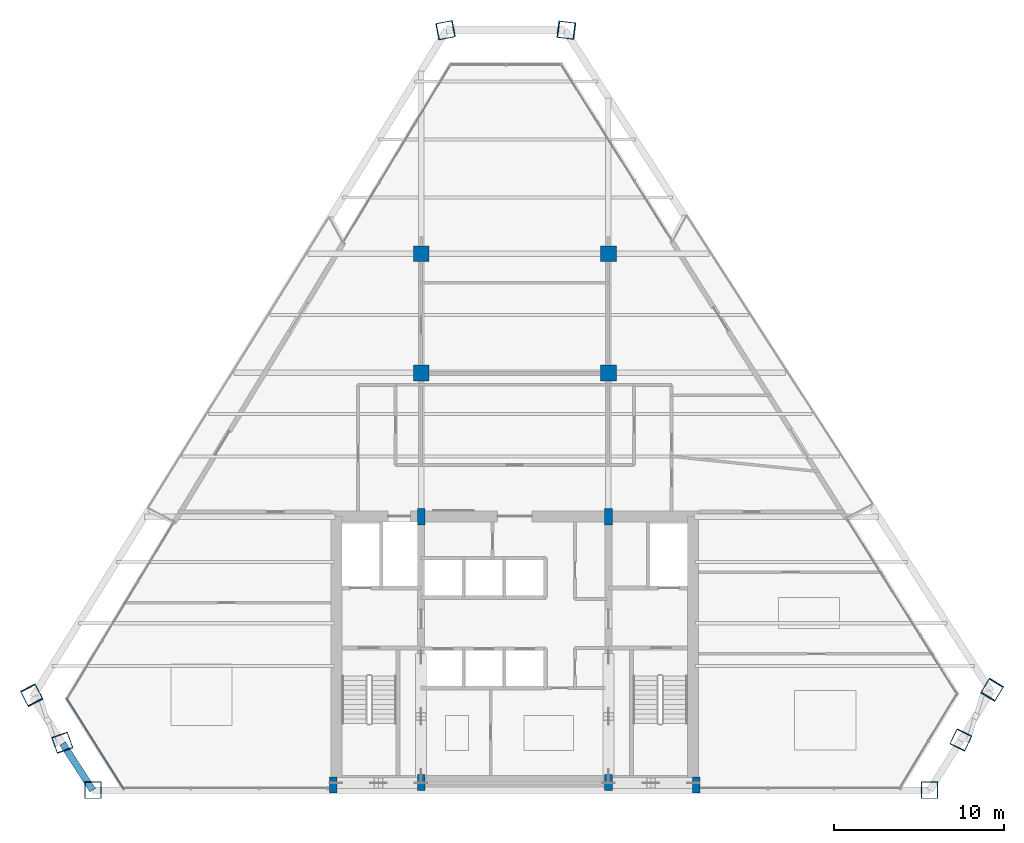
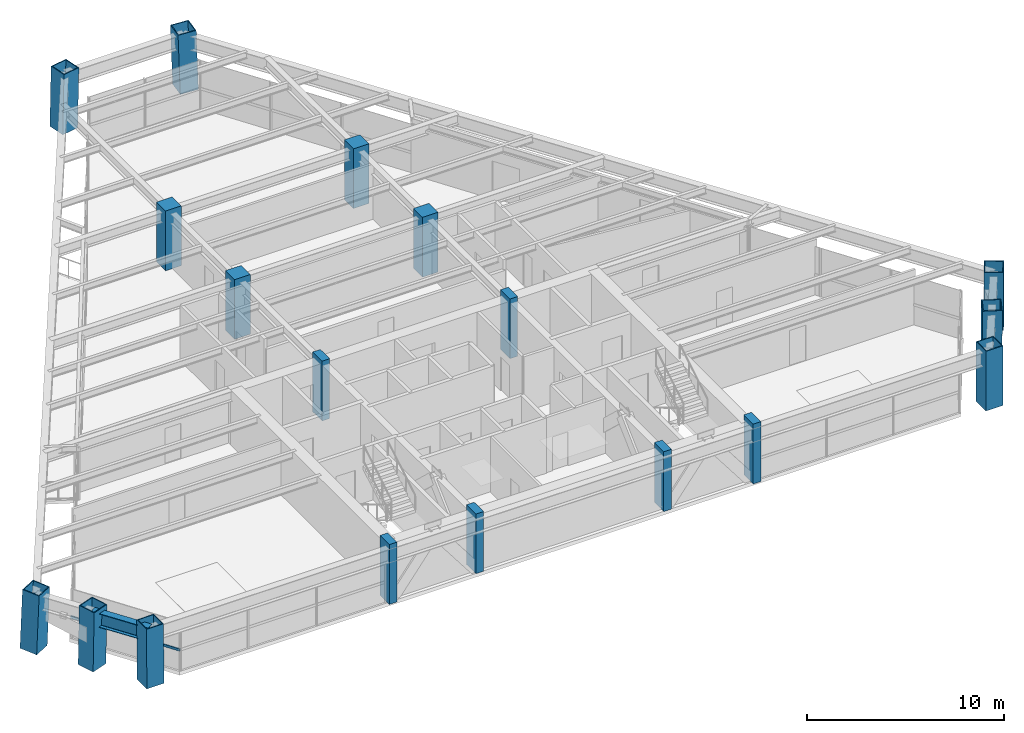
# One storey, part 1 of 12: 18 columns, 1 beam, 1 member, 1 element without a shape of its own.
"""IFC4 building model written with IfcOpenShell, lengths in metres."""

from ifc_helpers import new_model, si_unit, direction, frame, origin, origin_2d, place, context, subcontext, project, spatial, rectangle, hollow_rectangle, i_section, extrude, source, transform, mapped, material, material_profile, profile_set, type_object, element, aggregate, save


model = new_model("IFC4")

# Units and contexts
model_context = context("Model", 3, precision=1e-05, world=origin(), true_north=direction((0.0, 1.0)))
body_context = subcontext(model_context, "Body", "Model", "MODEL_VIEW")
ifc_project = project(units=[si_unit("LENGTHUNIT", "METRE"), si_unit("AREAUNIT", "SQUARE_METRE"), si_unit("VOLUMEUNIT", "CUBIC_METRE"), si_unit("PLANEANGLEUNIT", "RADIAN"), si_unit("MASSUNIT", "GRAM", prefix="KILO")], contexts=[model_context])

# Site, building, storey
site_placement = place(None, origin())
site = spatial("IfcSite", under=ifc_project, at=site_placement, CompositionType="ELEMENT")
building_placement = place(site_placement, origin())
building = spatial("IfcBuilding", under=site, at=building_placement, Name="Varnakhor Terracotta Tower", CompositionType="ELEMENT")
storey_placement = place(building_placement, frame((0.0, 0.0, 211.699951171875)))
storey = spatial("IfcBuildingStorey", under=building, at=storey_placement, Name="L54", CompositionType="ELEMENT", Elevation=211.699951171875)

# Columns
ifc_material_1 = material(Name="Concrete C50/60", Category="concrete")
ifc_material_profile_1 = material_profile(ifc_material_1, rectangle(XDim=0.449951171875, YDim=0.949951171875, at=origin_2d()), Name="RC PILASTER 950x450")
ifc_profile_set_1 = profile_set([ifc_material_profile_1], Name="Concrete C50/60")
column_type_1 = type_object("IfcColumnType", Name="COL-PIL-950x450", PredefinedType="PILASTER", material=ifc_profile_set_1)
shared_shape_1 = source(origin(), body_context, "Body", "SweptSolid", [
    extrude(rectangle(XDim=0.449951171875, YDim=0.949951171875, at=origin_2d()), origin(), (0.0, 0.0, 1.0), 3.699951171875),
])
for number, where, z_axis, x_axis, name in (
    (1, (-10.64990234375, 0.300048828125, 0.0), (0.0, 0.0, 1.0), (1.0, 0.0, 0.0), "L54 Core Pilaster CP1"),
    (2, (-5.5, 0.449951171875, 0.0), (0.0, 0.0, 1.0), (1.0, 0.0, 0.0), "L54 Core Pilaster CP2"),
    (3, (5.5, 0.449951171875, 0.0), (0.0, 0.0, 1.0), (1.0, 0.0, 0.0), "L54 Core Pilaster CP3"),
    (4, (10.64990234375, 0.300048828125, 0.0), (0.0, 0.0, 1.0), (1.0, 0.0, 0.0), "L54 Core Pilaster CP4"),
    (5, (-5.5, 16.050048828125, 0.0), (0.0, 0.0, 1.0), (1.0, 0.0, 0.0), "L54 Core Pilaster CP5"),
    (6, (5.5, 16.050048828125, 0.0), (0.0, 0.0, 1.0), (1.0, 0.0, 0.0), "L54 Core Pilaster CP6"),
):
    element("IfcColumn", number, at=place(storey_placement, frame(where, z_axis=z_axis, x_axis=x_axis)), inside=storey, type_object=column_type_1, Name=name, PredefinedType="PILASTER", context=body_context, shape_type="MappedRepresentation", body=[
        mapped(shared_shape_1, transform((0.0, 0.0, 0.0), scale=1.0)),
    ])
ifc_material_profile_2 = material_profile(ifc_material_1, rectangle(XDim=0.919921875, YDim=0.919921875, at=origin_2d()), Name="RC 920x920")
ifc_profile_set_2 = profile_set([ifc_material_profile_2], Name="Concrete C50/60")
column_type_2 = type_object("IfcColumnType", Name="COL-RC-920", PredefinedType="COLUMN", material=ifc_profile_set_2)
shared_shape_2 = source(origin(), body_context, "Body", "SweptSolid", [
    extrude(rectangle(XDim=0.919921875, YDim=0.919921875, at=origin_2d()), origin(), (0.0, 0.0, 1.0), 3.699951171875),
])
for number, where, z_axis, x_axis, name in (
    (7, (-5.5, 24.5, 0.0), (0.0, 0.0, 1.0), (1.0, 0.0, 0.0), "L54 Interior Tower Column IC1"),
    (8, (5.5, 24.5, 0.0), (0.0, 0.0, 1.0), (1.0, 0.0, 0.0), "L54 Interior Tower Column IC2"),
    (9, (-5.5, 31.5, 0.0), (0.0, 0.0, 1.0), (1.0, 0.0, 0.0), "L54 Interior Tower Column IC3"),
    (10, (5.5, 31.5, 0.0), (0.0, 0.0, 1.0), (1.0, 0.0, 0.0), "L54 Interior Tower Column IC4"),
):
    element("IfcColumn", number, at=place(storey_placement, frame(where, z_axis=z_axis, x_axis=x_axis)), inside=storey, type_object=column_type_2, Name=name, PredefinedType="COLUMN", context=body_context, shape_type="MappedRepresentation", body=[
        mapped(shared_shape_2, transform((0.0, 0.0, 0.0), scale=1.0)),
    ])
ifc_material_2 = material(Name="Steel S460", Category="steel")
ifc_material_profile_3 = material_profile(ifc_material_2, hollow_rectangle(XDim=1.0, YDim=1.0, WallThickness=0.050048828125, at=origin_2d()), Name="BOX 1000x1000x50")
ifc_profile_set_3 = profile_set([ifc_material_profile_3], Name="Steel S460")
column_type_3 = type_object("IfcColumnType", Name="COL-MEGA-1000", PredefinedType="COLUMN", material=ifc_profile_set_3)
shared_shape_3 = source(origin(), body_context, "Body", "SweptSolid", [
    extrude(hollow_rectangle(XDim=1.0, YDim=1.0, WallThickness=0.050048828125, at=origin_2d()), origin(), (0.0, 0.0, 1.0), 3.691162109375),
])
for number, where, z_axis, x_axis, name in (
    (11, (-24.762939453125, 0.0, 0.00439453125), (-0.006018807573, 0.0, 0.999981886814), (0.0, -1.0, 0.0), "L54 Perimeter Mega-Column M1"),
    (12, (24.357421875, 0.0, 0.00439453125), (0.004034625538, 0.0, 0.999991860865), (0.0, 1.0, 0.0), "L54 Perimeter Mega-Column M2"),
):
    element("IfcColumn", number, at=place(storey_placement, frame(where, z_axis=z_axis, x_axis=x_axis)), inside=storey, type_object=column_type_3, Name=name, PredefinedType="COLUMN", context=body_context, shape_type="MappedRepresentation", body=[
        mapped(shared_shape_3, transform((0.0, 0.0, 0.0), scale=1.0)),
    ])
shared_shape_4 = source(origin(), body_context, "Body", "SweptSolid", [
    extrude(hollow_rectangle(XDim=1.0, YDim=1.0, WallThickness=0.050048828125, at=origin_2d()), origin(), (0.0, 0.0, 1.0), 3.69189453125),
])
for number, where, z_axis, x_axis, name in (
    (13, (26.199462890625, 2.9580078125, 0.00439453125), (-0.008266275196, -0.016929331601, 0.999822517463), (0.898599702764, -0.438769386115, 0.0), "L54 Perimeter Mega-Column M3"),
    (14, (-4.0771484375, 44.622802734375, 0.00439453125), (0.021028315123, 0.004033733404, 0.9997707432), (-0.18838918747, 0.98209445271, 0.0), "L54 Perimeter Mega-Column M6"),
    (15, (-26.569580078125, 2.79833984375, 0.00439453125), (0.006282358654, -0.017855124594, 0.9998208472), (0.943312390837, 0.331906211591, 0.0), "L54 Perimeter Mega-Column M8"),
):
    element("IfcColumn", number, at=place(storey_placement, frame(where, z_axis=z_axis, x_axis=x_axis)), inside=storey, type_object=column_type_3, Name=name, PredefinedType="COLUMN", context=body_context, shape_type="MappedRepresentation", body=[
        mapped(shared_shape_4, transform((0.0, 0.0, 0.0), scale=1.0)),
    ])
shared_shape_5 = source(origin(), body_context, "Body", "SweptSolid", [
    extrude(hollow_rectangle(XDim=1.0, YDim=1.0, WallThickness=0.050048828125, at=origin_2d()), origin(), (0.0, 0.0, 1.0), 3.693115234375),
])
column_placement = place(storey_placement, frame((3.050048828125, 44.622802734375, 0.00439453125), z_axis=(-0.032986598454, 0.004032429871, 0.999447659376), x_axis=(-0.12134120685, -0.992610856036, 0.0)))
element("IfcColumn", 16, at=column_placement, inside=storey, type_object=column_type_3, Name="L54 Perimeter Mega-Column M5", PredefinedType="COLUMN", context=body_context, shape_type="MappedRepresentation", body=[
    mapped(shared_shape_5, transform((0.0, 0.0, 0.0), scale=1.0)),
])
shared_shape_6 = source(origin(), body_context, "Body", "SweptSolid", [
    extrude(hollow_rectangle(XDim=1.0, YDim=1.0, WallThickness=0.050048828125, at=origin_2d()), origin(), (0.0, 0.0, 1.0), 3.694091796875),
])
for number, where, z_axis, x_axis, name in (
    (17, (28.041259765625, 5.916259765625, 0.00439453125), (-0.020421844924, -0.033904227981, 0.999216418788), (0.856607647925, -0.515968349335, 0.0), "L54 Perimeter Mega-Column M4"),
    (18, (-28.37646484375, 5.5966796875, 0.00439453125), (0.018702925245, -0.035753648613, 0.999185606981), (0.886087863658, 0.463517311304, 0.0), "L54 Perimeter Mega-Column M7"),
):
    element("IfcColumn", number, at=place(storey_placement, frame(where, z_axis=z_axis, x_axis=x_axis)), inside=storey, type_object=column_type_3, Name=name, PredefinedType="COLUMN", context=body_context, shape_type="MappedRepresentation", body=[
        mapped(shared_shape_6, transform((0.0, 0.0, 0.0), scale=1.0)),
    ])

# Beam
ifc_material_3 = material(Name="Steel S355", Category="steel")
ifc_material_profile_4 = material_profile(ifc_material_3, i_section(OverallWidth=0.39990234375, OverallDepth=0.85498046875, WebThickness=0.01806640625, FlangeThickness=0.029052734375, FilletRadius=0.01806640625, at=origin_2d()), Name="W33X201")
ifc_profile_set_4 = profile_set([ifc_material_profile_4], Name="Steel S355")
beam_type = type_object("IfcBeamType", Name="BM-W33X201", PredefinedType="BEAM", material=ifc_profile_set_4)
shared_shape_7 = source(origin(), body_context, "Body", "SweptSolid", [
    extrude(i_section(OverallWidth=0.39990234375, OverallDepth=0.85498046875, WebThickness=0.01806640625, FlangeThickness=0.029052734375, FilletRadius=0.01806640625, at=origin_2d()), origin(), (0.0, 0.0, 1.0), 3.2509765625),
])
beam_placement = place(storey_placement, frame((-26.54638671875, 2.732421875, 2.992431640625), z_axis=(0.541774440602, -0.840523917274, 0.0), x_axis=(0.840523917274, 0.541774440602, 0.0)))
element("IfcBeam", 19, at=beam_placement, inside=storey, type_object=beam_type, Name="L54 Perimeter Spandrel 8", PredefinedType="BEAM", context=body_context, shape_type="MappedRepresentation", body=[
    mapped(shared_shape_7, transform((0.0, 0.0, 0.0), scale=1.0)),
])

# Curtain wall, member
ifc_material_4 = material(Name="Anodised Aluminium Curtain Wall System", Category="aluminium")
curtain_wall_type = type_object("IfcCurtainWallType", Name="CW-SYS-MID-OFFICE", PredefinedType="NOTDEFINED", material=ifc_material_4)
curtain_wall_placement = place(storey_placement, origin())
curtain_wall = element("IfcCurtainWall", 20, at=curtain_wall_placement, inside=storey, type_object=curtain_wall_type, Name="L54 Facet Curtain Wall 6", PredefinedType="NOTDEFINED")
ifc_material_5 = material(Name="Anodised Aluminium 6063-T6", Category="aluminium")
ifc_material_profile_5 = material_profile(ifc_material_5, rectangle(XDim=0.070068359375, YDim=0.155029296875, at=origin_2d()), Name="ALU TRANSOM 70x155")
ifc_profile_set_5 = profile_set([ifc_material_profile_5], Name="Anodised Aluminium 6063-T6")
member_type = type_object("IfcMemberType", Name="CWT-03", PredefinedType="USERDEFINED", material=ifc_profile_set_5)
shared_shape_8 = source(origin(), body_context, "Body", "SweptSolid", [
    extrude(rectangle(XDim=0.070068359375, YDim=0.155029296875, at=origin_2d()), origin(), (0.0, 0.0, 1.0), 6.26806640625),
])
member_placement = place(storey_placement, frame((-22.96728515625, 0.08935546875, 1.260009765625), z_axis=(-0.53232868044, 0.846537758154, 0.0), x_axis=(-0.846537758154, -0.53232868044, 0.0)))
member = element("IfcMember", 21, at=member_placement, type_object=member_type, Name="L54 Facet Curtain Wall 6 Transom 1", ObjectType="TRANSOM", PredefinedType="USERDEFINED", context=body_context, shape_type="MappedRepresentation", body=[
    mapped(shared_shape_8, transform((0.0, 0.0, 0.0), scale=1.0)),
])
aggregate(curtain_wall, [member])

save(model, "model.ifc")
